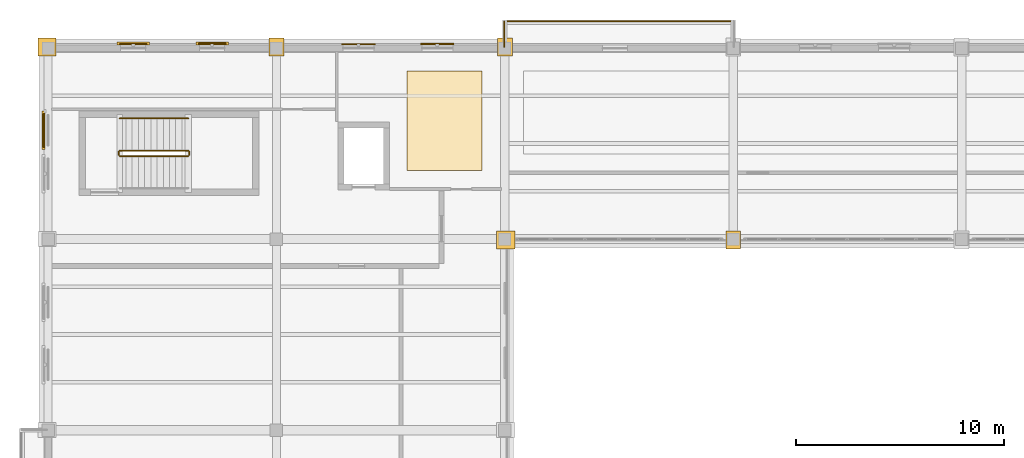
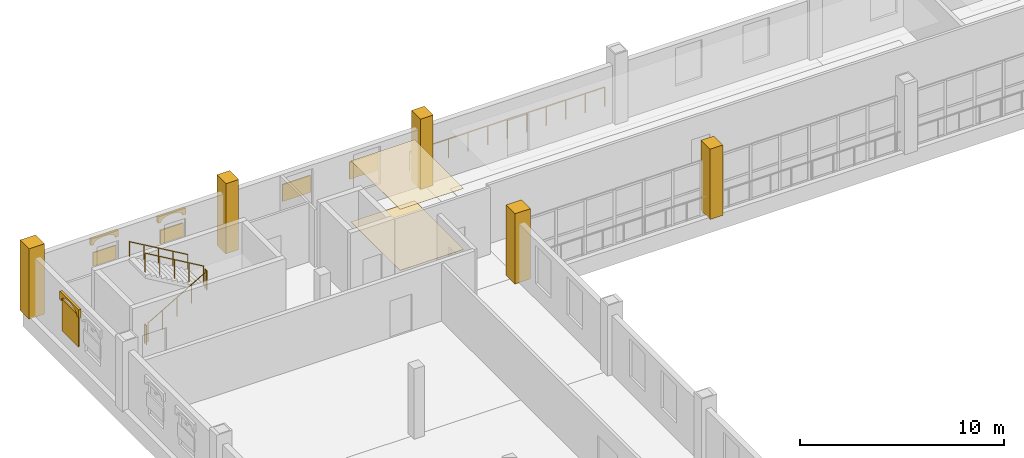
# One storey, part 114 of 120: 10 coverings, 7 railings, 5 shading devices.
"""IFC4 building model written with IfcOpenShell, lengths in metres."""

from ifc_helpers import new_model, si_unit, direction, frame, origin, origin_2d, place, context, subcontext, project, spatial, polyline, rectangle, circle, outline, extrude, material, layer, layer_set, type_object, element, save


model = new_model("IFC4")

# Units and contexts
model_context = context("Model", 3, precision=1e-05, world=origin(), true_north=direction((0.0, 1.0)))
body_context = subcontext(model_context, "Body", "Model", "MODEL_VIEW")
ifc_project = project(units=[si_unit("LENGTHUNIT", "METRE"), si_unit("AREAUNIT", "SQUARE_METRE"), si_unit("VOLUMEUNIT", "CUBIC_METRE"), si_unit("PLANEANGLEUNIT", "RADIAN"), si_unit("MASSUNIT", "GRAM", prefix="KILO")], contexts=[model_context])

# Site, building, storey
site_placement = place(None, origin())
site = spatial("IfcSite", under=ifc_project, at=site_placement, CompositionType="ELEMENT")
building_placement = place(site_placement, origin())
building = spatial("IfcBuilding", under=site, at=building_placement, Name="Caurita Quay Ferry Terminal", CompositionType="ELEMENT")
storey_placement = place(building_placement, frame((0.0, 0.0, 9.89990234375)))
storey = spatial("IfcBuildingStorey", under=building, at=storey_placement, Name="L02", CompositionType="ELEMENT", Elevation=9.89990234375)

# Coverings
ifc_material_1 = material(Name="Acoustic mineral fibre tile", Category="finish")
ifc_layer_1 = layer(ifc_material_1, 0.02001953125, Name="Acoustic mineral-fibre suspended ceiling 20 mm")
ifc_layer_set_1 = layer_set([ifc_layer_1], Name="Acoustic mineral fibre tile")
covering_type_1 = type_object("IfcCoveringType", Name="COV-CEIL-020", PredefinedType="CEILING", material=ifc_layer_set_1)
covering_1_placement = place(storey_placement, frame((0.0, 0.0, 3.65478515625)))
element("IfcCovering", 1, at=covering_1_placement, inside=storey, type_object=covering_type_1, Name="Maritime Biosecurity Inspection Laboratory Acoustic Ceiling", PredefinedType="CEILING", context=body_context, shape_type="SweptSolid", body=[
    extrude(outline(polyline([(17.300048828125, 111.10009765625), (20.89990234375, 111.10009765625), (20.89990234375, 115.89990234375), (17.300048828125, 115.89990234375), (17.300048828125, 111.10009765625)])), origin(), (0.0, 0.0, 1.0), 0.02001953125),
])
ifc_material_2 = material(Name="Polished marine terrazzo tile", Category="finish")
ifc_layer_2 = layer(ifc_material_2, 0.02490234375, Name="Polished marine terrazzo floor finish 25 mm")
ifc_layer_set_2 = layer_set([ifc_layer_2], Name="Polished marine terrazzo tile")
covering_type_2 = type_object("IfcCoveringType", Name="COV-FLR-025", PredefinedType="FLOORING", material=ifc_layer_set_2)
covering_2_placement = place(storey_placement, origin())
element("IfcCovering", 2, at=covering_2_placement, inside=storey, type_object=covering_type_2, Name="Maritime Biosecurity Inspection Laboratory Terrazzo Flooring", PredefinedType="FLOORING", context=body_context, shape_type="SweptSolid", body=[
    extrude(outline(polyline([(17.300048828125, 111.10009765625), (20.89990234375, 111.10009765625), (20.89990234375, 115.89990234375), (17.300048828125, 115.89990234375), (17.300048828125, 111.10009765625)])), origin(), (0.0, 0.0, 1.0), 0.025146484375),
])
ifc_material_3 = material(Name="Warm-white lime stucco masonry", Category="masonry")
ifc_layer_3 = layer(ifc_material_3, 0.179931640625, Name="Classical engaged lime-stucco facade pilaster cladding 180 mm")
ifc_layer_set_3 = layer_set([ifc_layer_3], Name="Warm-white lime stucco masonry")
covering_type_3 = type_object("IfcCoveringType", Name="COV-PIL-CLD", PredefinedType="CLADDING", material=ifc_layer_set_3)
covering_3_placement = place(storey_placement, frame((-0.050048828125, 117.050048828125, 0.0), z_axis=(0.0, 0.0, 1.0), x_axis=(1.0, 0.0, 0.0)))
element("IfcCovering", 3, at=covering_3_placement, inside=storey, type_object=covering_type_3, Name="L02 Classical Engaged Pilaster 0293", PredefinedType="CLADDING", context=body_context, shape_type="SweptSolid", body=[
    extrude(rectangle(XDim=0.8798828125, YDim=0.8798828125, at=origin_2d()), origin(), (0.0, 0.0, 1.0), 4.199951171875),
])
covering_4_placement = place(storey_placement, frame((11.0, 117.050048828125, 0.0), z_axis=(0.0, 0.0, 1.0), x_axis=(1.0, 0.0, 0.0)))
element("IfcCovering", 4, at=covering_4_placement, inside=storey, type_object=covering_type_3, Name="L02 Classical Engaged Pilaster 0303", PredefinedType="CLADDING", context=body_context, shape_type="SweptSolid", body=[
    extrude(rectangle(XDim=0.719970703125, YDim=0.8798828125, at=origin_2d()), origin(), (0.0, 0.0, 1.0), 4.199951171875),
])
covering_5_placement = place(storey_placement, frame((22.050048828125, 107.75, 0.0), z_axis=(0.0, 0.0, 1.0), x_axis=(1.0, 0.0, 0.0)))
element("IfcCovering", 5, at=covering_5_placement, inside=storey, type_object=covering_type_3, Name="L02 Classical Engaged Pilaster 0320", PredefinedType="CLADDING", context=body_context, shape_type="SweptSolid", body=[
    extrude(rectangle(XDim=0.8798828125, YDim=0.8798828125, at=origin_2d()), origin(), (0.0, 0.0, 1.0), 4.199951171875),
])
for number, where, z_axis, x_axis, name in (
    (6, (22.0, 117.050048828125, 0.0), (0.0, 0.0, 1.0), (1.0, 0.0, 0.0), "L02 Classical Engaged Pilaster 0325"),
    (7, (33.0, 107.75, 0.0), (0.0, 0.0, 1.0), (1.0, 0.0, 0.0), "L02 Classical Engaged Pilaster 0336"),
):
    element("IfcCovering", number, at=place(storey_placement, frame(where, z_axis=z_axis, x_axis=x_axis)), inside=storey, type_object=covering_type_3, Name=name, PredefinedType="CLADDING", context=body_context, shape_type="SweptSolid", body=[
        extrude(rectangle(XDim=0.719970703125, YDim=0.8798828125, at=origin_2d()), origin(), (0.0, 0.0, 1.0), 4.199951171875),
    ])
ifc_material_4 = material(Name="Coral stone ashlar cladding", Category="masonry")
ifc_layer_4 = layer(ifc_material_4, 0.139892578125, Name="Spanish Colonial semicircular arched window surround 140 mm")
ifc_layer_set_4 = layer_set([ifc_layer_4], Name="Coral stone ashlar cladding")
covering_type_4 = type_object("IfcCoveringType", Name="COV-WHD-MLD", PredefinedType="MOLDING", material=ifc_layer_set_4)
for number, where, z_axis, x_axis, name in (
    (8, (8.679931640625, 117.215087890625, 2.72998046875), (0.0, 0.0, 1.0), (-1.0, 0.0, 0.0), "L02 Arched Window Surround 011"),
    (9, (4.8798828125, 117.215087890625, 2.72998046875), (0.0, 0.0, 1.0), (-1.0, 0.0, 0.0), "L02 Arched Window Surround 012"),
):
    element("IfcCovering", number, at=place(storey_placement, frame(where, z_axis=z_axis, x_axis=x_axis)), inside=storey, type_object=covering_type_4, Name=name, PredefinedType="MOLDING", context=body_context, shape_type="SweptSolid", body=[
        extrude(outline(polyline([(0.0, 0.0), (0.159912109375, 0.0), (0.159912109375, 0.0400390625), (0.1904296875, 0.12158203125), (0.2783203125, 0.195068359375), (0.41552734375, 0.253662109375), (0.58837890625, 0.291015625), (0.77978515625, 0.303955078125), (0.971435546875, 0.291015625), (1.144287109375, 0.253662109375), (1.281494140625, 0.195068359375), (1.369384765625, 0.12158203125), (1.39990234375, 0.0400390625), (1.39990234375, 0.0), (1.559814453125, 0.0), (1.559814453125, 0.384033203125), (0.0, 0.384033203125), (0.0, 0.0)])), frame((0.0, 0.06982421875, 0.0), z_axis=(0.0, -1.0, 0.0), x_axis=(1.0, 0.0, 0.0)), (0.0, 0.0, 1.0), 0.139892578125),
    ])
covering_6_placement = place(storey_placement, frame((-0.215087890625, 113.965087890625, 2.72998046875), z_axis=(0.0, 0.0, 1.0), x_axis=(0.0, -1.0, 0.0)))
element("IfcCovering", 10, at=covering_6_placement, inside=storey, type_object=covering_type_4, Name="L02 Arched Window Surround 044", PredefinedType="MOLDING", context=body_context, shape_type="SweptSolid", body=[
    extrude(outline(polyline([(0.0, 0.0), (0.159912109375, 0.0), (0.159912109375, 0.0400390625), (0.19775390625, 0.1513671875), (0.30712890625, 0.251708984375), (0.4775390625, 0.331298828125), (0.692138671875, 0.38232421875), (0.929931640625, 0.39990234375), (1.16796875, 0.38232421875), (1.382568359375, 0.331298828125), (1.552978515625, 0.251708984375), (1.662353515625, 0.1513671875), (1.7001953125, 0.0400390625), (1.7001953125, 0.0), (1.860107421875, 0.0), (1.860107421875, 0.480224609375), (0.0, 0.480224609375), (0.0, 0.0)])), frame((0.0, 0.06982421875, 0.0), z_axis=(0.0, -1.0, 0.0), x_axis=(1.0, 0.0, 0.0)), (0.0, 0.0, 1.0), 0.139892578125),
])

# Railings
ifc_material_5 = material(Name="Bronze architectural metalwork", Category="metal")
railing_type_1 = type_object("IfcRailingType", Name="RL-HND-090", PredefinedType="HANDRAIL", material=ifc_material_5)
railing_1_placement = place(storey_placement, frame((6.75, 113.610107421875, 2.275146484375)))
element("IfcRailing", 11, at=railing_1_placement, inside=storey, type_object=railing_type_1, Name="L02 ST-01 stair handrail 2", PredefinedType="HANDRAIL", context=body_context, shape_type="SweptSolid", body=[
    extrude(circle(Radius=0.02392578125, at=origin_2d()), frame((0.0, 0.0, 0.8759765625), z_axis=(-0.863776583165, 0.0, 0.503874998761), x_axis=(0.0, -1.0, 0.0)), (0.0, 0.0, 1.0), 3.820556640625),
    extrude(circle(Radius=0.02099609375, at=origin_2d()), origin(), (0.0, 0.0, 1.0), 0.851806640625),
    extrude(circle(Radius=0.02099609375, at=origin_2d()), frame((-0.824951171875, 0.0, 0.481201171875)), (0.0, 0.0, 1.0), 0.851806640625),
    extrude(circle(Radius=0.02099609375, at=origin_2d()), frame((-1.64990234375, 0.0, 0.96240234375)), (0.0, 0.0, 1.0), 0.851806640625),
    extrude(circle(Radius=0.02099609375, at=origin_2d()), frame((-2.47509765625, 0.0, 1.44384765625)), (0.0, 0.0, 1.0), 0.851806640625),
    extrude(circle(Radius=0.02099609375, at=origin_2d()), frame((-3.300048828125, 0.0, 1.925048828125)), (0.0, 0.0, 1.0), 0.851806640625),
])
railing_type_2 = type_object("IfcRailingType", Name="RL-REJA-115", PredefinedType="BALUSTRADE", material=ifc_material_5)
railing_2_placement = place(storey_placement, frame((21.97998046875, 117.050048828125, 0.0)))
element("IfcRailing", 12, at=railing_2_placement, inside=storey, type_object=railing_type_2, Name="L02 Customs Rejas Balcony Balustrade (122)", PredefinedType="BALUSTRADE", context=body_context, shape_type="SweptSolid", body=[
    extrude(circle(Radius=0.02392578125, at=origin_2d()), frame((0.0, 0.0, 1.1259765625), z_axis=(0.0, 1.0, 0.0), x_axis=(-1.0, 0.0, 0.0)), (0.0, 0.0, 1.0), 1.22998046875),
    extrude(circle(Radius=0.02099609375, at=origin_2d()), origin(), (0.0, 0.0, 1.0), 1.101806640625),
    extrude(circle(Radius=0.02099609375, at=origin_2d()), frame((0.0, 0.614990234375, 0.0)), (0.0, 0.0, 1.0), 1.101806640625),
    extrude(circle(Radius=0.02099609375, at=origin_2d()), frame((0.0, 1.22998046875, 0.0)), (0.0, 0.0, 1.0), 1.101806640625),
])
railing_3_placement = place(storey_placement, frame((21.97998046875, 118.280029296875, 0.0)))
element("IfcRailing", 13, at=railing_3_placement, inside=storey, type_object=railing_type_2, Name="L02 Customs Rejas Balcony Balustrade (123)", PredefinedType="BALUSTRADE", context=body_context, shape_type="SweptSolid", body=[
    extrude(circle(Radius=0.02392578125, at=origin_2d()), frame((0.0, 0.0, 1.1259765625), z_axis=(1.0, 0.0, 0.0), x_axis=(0.0, 1.0, 0.0)), (0.0, 0.0, 1.0), 11.0400390625),
    extrude(circle(Radius=0.02099609375, at=origin_2d()), origin(), (0.0, 0.0, 1.0), 1.101806640625),
    extrude(circle(Radius=0.02099609375, at=origin_2d()), frame((1.10400390625, 0.0, 0.0)), (0.0, 0.0, 1.0), 1.101806640625),
    extrude(circle(Radius=0.02099609375, at=origin_2d()), frame((2.2080078125, 0.0, 0.0)), (0.0, 0.0, 1.0), 1.101806640625),
    extrude(circle(Radius=0.02099609375, at=origin_2d()), frame((3.31201171875, 0.0, 0.0)), (0.0, 0.0, 1.0), 1.101806640625),
    extrude(circle(Radius=0.02099609375, at=origin_2d()), frame((4.416015625, 0.0, 0.0)), (0.0, 0.0, 1.0), 1.101806640625),
    extrude(circle(Radius=0.02099609375, at=origin_2d()), frame((5.52001953125, 0.0, 0.0)), (0.0, 0.0, 1.0), 1.101806640625),
    extrude(circle(Radius=0.02099609375, at=origin_2d()), frame((6.6240234375, 0.0, 0.0)), (0.0, 0.0, 1.0), 1.101806640625),
    extrude(circle(Radius=0.02099609375, at=origin_2d()), frame((7.72802734375, 0.0, 0.0)), (0.0, 0.0, 1.0), 1.101806640625),
    extrude(circle(Radius=0.02099609375, at=origin_2d()), frame((8.83203125, 0.0, 0.0)), (0.0, 0.0, 1.0), 1.101806640625),
    extrude(circle(Radius=0.02099609375, at=origin_2d()), frame((9.93603515625, 0.0, 0.0)), (0.0, 0.0, 1.0), 1.101806640625),
    extrude(circle(Radius=0.02099609375, at=origin_2d()), frame((11.0400390625, 0.0, 0.0)), (0.0, 0.0, 1.0), 1.101806640625),
])
railing_4_placement = place(storey_placement, frame((3.449951171875, 111.800048828125, 0.175048828125)))
element("IfcRailing", 14, at=railing_4_placement, inside=storey, type_object=railing_type_2, Name="L02 ST-01 stair guard 1", PredefinedType="BALUSTRADE", context=body_context, shape_type="SweptSolid", body=[
    extrude(circle(Radius=0.02392578125, at=origin_2d()), frame((0.0, 0.0, 1.1259765625), z_axis=(0.863776583165, 0.0, 0.503874998761), x_axis=(0.0, 1.0, 0.0)), (0.0, 0.0, 1.0), 3.820556640625),
    extrude(circle(Radius=0.02099609375, at=origin_2d()), origin(), (0.0, 0.0, 1.0), 1.101806640625),
    extrude(circle(Radius=0.02099609375, at=origin_2d()), frame((0.824951171875, 0.0, 0.481201171875)), (0.0, 0.0, 1.0), 1.101806640625),
    extrude(circle(Radius=0.02099609375, at=origin_2d()), frame((1.64990234375, 0.0, 0.96240234375)), (0.0, 0.0, 1.0), 1.101806640625),
    extrude(circle(Radius=0.02099609375, at=origin_2d()), frame((2.47509765625, 0.0, 1.44384765625)), (0.0, 0.0, 1.0), 1.101806640625),
    extrude(circle(Radius=0.02099609375, at=origin_2d()), frame((3.300048828125, 0.0, 1.925048828125)), (0.0, 0.0, 1.0), 1.101806640625),
])
railing_5_placement = place(storey_placement, frame((6.800048828125, 111.85009765625, 2.10009765625)))
element("IfcRailing", 15, at=railing_5_placement, inside=storey, type_object=railing_type_2, Name="L02 ST-01 stair guard 2", PredefinedType="BALUSTRADE", context=body_context, shape_type="SweptSolid", body=[
    extrude(circle(Radius=0.02392578125, at=origin_2d()), frame((0.0, 0.0, 1.1259765625), z_axis=(0.0, 1.0, 0.0), x_axis=(-1.0, 0.0, 0.0)), (0.0, 0.0, 1.0), 0.159912109375),
    extrude(circle(Radius=0.02099609375, at=origin_2d()), origin(), (0.0, 0.0, 1.0), 1.101806640625),
    extrude(circle(Radius=0.02099609375, at=origin_2d()), frame((0.0, 0.159912109375, 0.0)), (0.0, 0.0, 1.0), 1.101806640625),
])
railing_6_placement = place(storey_placement, frame((6.75, 112.06005859375, 2.275146484375)))
element("IfcRailing", 16, at=railing_6_placement, inside=storey, type_object=railing_type_2, Name="L02 ST-01 stair guard 3", PredefinedType="BALUSTRADE", context=body_context, shape_type="SweptSolid", body=[
    extrude(circle(Radius=0.02392578125, at=origin_2d()), frame((0.0, 0.0, 1.1259765625), z_axis=(-0.863776583165, 0.0, 0.503874998761), x_axis=(0.0, -1.0, 0.0)), (0.0, 0.0, 1.0), 3.820556640625),
    extrude(circle(Radius=0.02099609375, at=origin_2d()), origin(), (0.0, 0.0, 1.0), 1.101806640625),
    extrude(circle(Radius=0.02099609375, at=origin_2d()), frame((-0.824951171875, 0.0, 0.481201171875)), (0.0, 0.0, 1.0), 1.101806640625),
    extrude(circle(Radius=0.02099609375, at=origin_2d()), frame((-1.64990234375, 0.0, 0.96240234375)), (0.0, 0.0, 1.0), 1.101806640625),
    extrude(circle(Radius=0.02099609375, at=origin_2d()), frame((-2.47509765625, 0.0, 1.44384765625)), (0.0, 0.0, 1.0), 1.101806640625),
    extrude(circle(Radius=0.02099609375, at=origin_2d()), frame((-3.300048828125, 0.0, 1.925048828125)), (0.0, 0.0, 1.0), 1.101806640625),
])
railing_7_placement = place(storey_placement, frame((3.39990234375, 111.85009765625, 0.0)))
element("IfcRailing", 17, at=railing_7_placement, inside=storey, type_object=railing_type_2, Name="L02 ST-01 stair guard 4", PredefinedType="BALUSTRADE", context=body_context, shape_type="SweptSolid", body=[
    extrude(circle(Radius=0.02392578125, at=origin_2d()), frame((0.0, 0.0, 1.1259765625), z_axis=(0.0, 1.0, 0.0), x_axis=(-1.0, 0.0, 0.0)), (0.0, 0.0, 1.0), 0.159912109375),
    extrude(circle(Radius=0.02099609375, at=origin_2d()), origin(), (0.0, 0.0, 1.0), 1.101806640625),
    extrude(circle(Radius=0.02099609375, at=origin_2d()), frame((0.0, 0.159912109375, 0.0)), (0.0, 0.0, 1.0), 1.101806640625),
])

# Shading devices
shading_device_type_1 = type_object("IfcShadingDeviceType", Name="SHD-JAL-01", PredefinedType="JALOUSIE", material=ifc_material_5)
shading_device_1_placement = place(storey_placement, frame((7.89990234375, 117.193115234375, 1.445068359375), z_axis=(0.0, 0.0, 1.0), x_axis=(-1.0, 0.0, 0.0)))
element("IfcShadingDevice", 18, at=shading_device_1_placement, inside=storey, type_object=shading_device_type_1, Name="L02 Tropical Window Sun-Breaker 013", PredefinedType="JALOUSIE", context=body_context, shape_type="SweptSolid", body=[
    extrude(rectangle(XDim=1.300048828125, YDim=0.080078125, at=origin_2d()), origin(), (0.0, 0.0, 1.0), 0.81005859375),
])
shading_device_2_placement = place(storey_placement, frame((18.75, 117.193115234375, 1.56884765625), z_axis=(0.0, 0.0, 1.0), x_axis=(-1.0, 0.0, 0.0)))
element("IfcShadingDevice", 19, at=shading_device_2_placement, inside=storey, type_object=shading_device_type_1, Name="L02 Tropical Window Sun-Breaker 015", PredefinedType="JALOUSIE", context=body_context, shape_type="SweptSolid", body=[
    extrude(rectangle(XDim=1.60009765625, YDim=0.080078125, at=origin_2d()), origin(), (0.0, 0.0, 1.0), 1.012451171875),
])
shading_device_3_placement = place(storey_placement, frame((-0.193115234375, 113.034912109375, 0.91015625), z_axis=(0.0, 0.0, 1.0), x_axis=(0.0, -1.0, 0.0)))
element("IfcShadingDevice", 20, at=shading_device_3_placement, inside=storey, type_object=shading_device_type_1, Name="L02 Tropical Window Sun-Breaker 049", PredefinedType="JALOUSIE", context=body_context, shape_type="SweptSolid", body=[
    extrude(rectangle(XDim=1.6201171875, YDim=0.080078125, at=origin_2d()), origin(), (0.0, 0.0, 1.0), 1.8798828125),
])
ifc_material_6 = material(Name="Tropical mahogany hardwood", Category="wood")
shading_device_type_2 = type_object("IfcShadingDeviceType", Name="SHD-SHT-01", PredefinedType="SHUTTER", material=ifc_material_6)
shading_device_4_placement = place(storey_placement, frame((4.10009765625, 117.18310546875, 1.445068359375), z_axis=(0.0, 0.0, 1.0), x_axis=(-1.0, 0.0, 0.0)))
element("IfcShadingDevice", 21, at=shading_device_4_placement, inside=storey, type_object=shading_device_type_2, Name="L02 Tropical Window Sun-Breaker 014", PredefinedType="SHUTTER", context=body_context, shape_type="SweptSolid", body=[
    extrude(rectangle(XDim=1.300048828125, YDim=0.06005859375, at=origin_2d()), origin(), (0.0, 0.0, 1.0), 0.81005859375),
])
shading_device_5_placement = place(storey_placement, frame((14.949951171875, 117.18310546875, 1.56884765625), z_axis=(0.0, 0.0, 1.0), x_axis=(-1.0, 0.0, 0.0)))
element("IfcShadingDevice", 22, at=shading_device_5_placement, inside=storey, type_object=shading_device_type_2, Name="L02 Tropical Window Sun-Breaker 016", PredefinedType="SHUTTER", context=body_context, shape_type="SweptSolid", body=[
    extrude(rectangle(XDim=1.60009765625, YDim=0.06005859375, at=origin_2d()), origin(), (0.0, 0.0, 1.0), 1.012451171875),
])

save(model, "model.ifc")
